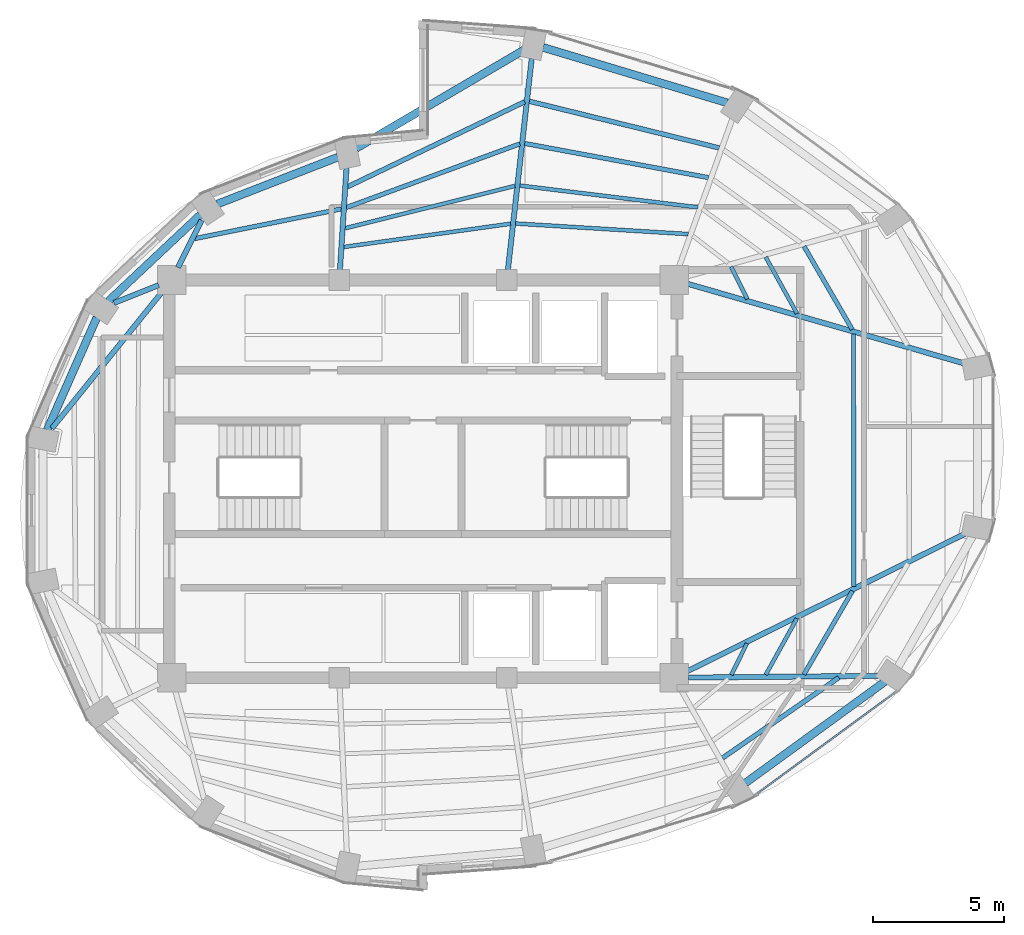
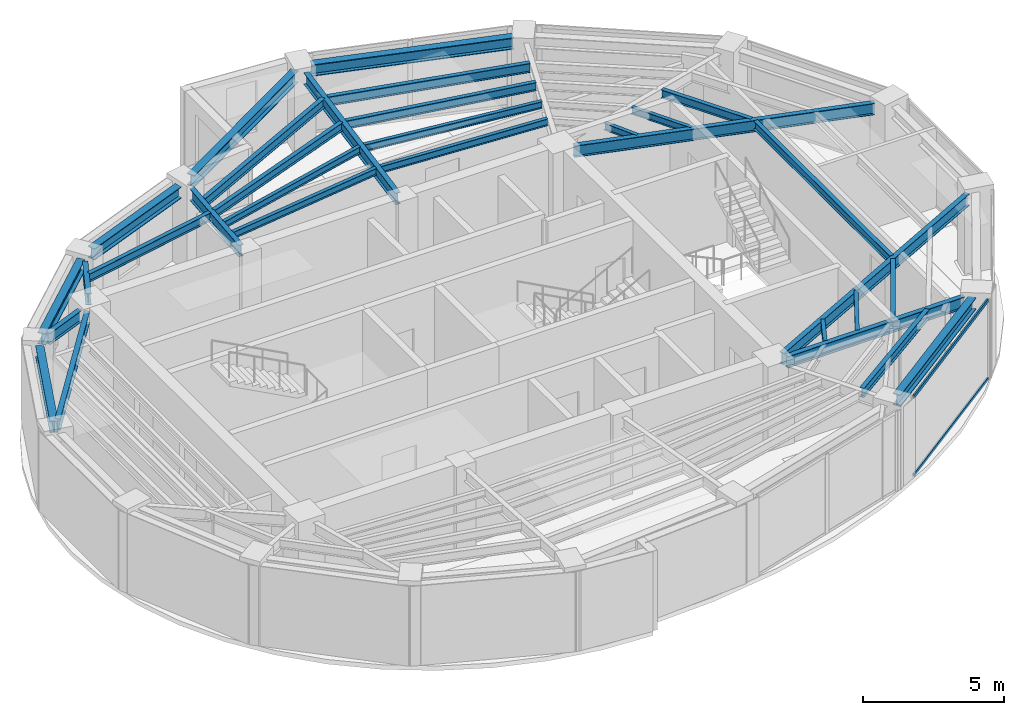
# One storey, part 3 of 12: 31 beams, 2 members, 1 element without a shape of its own.
"""IFC4 building model written with IfcOpenShell, lengths in metres."""

from ifc_helpers import new_model, si_unit, direction, frame, origin, origin_2d, place, context, subcontext, project, spatial, hollow_rectangle, i_section, extrude, material, layer, layer_set, material_profile, profile_set, type_object, element, aggregate, save


model = new_model("IFC4")

# Units and contexts
model_context = context("Model", 3, precision=1e-05, world=origin(), true_north=direction((0.0, 1.0)))
body_context = subcontext(model_context, "Body", "Model", "MODEL_VIEW")
ifc_project = project(units=[si_unit("LENGTHUNIT", "METRE"), si_unit("AREAUNIT", "SQUARE_METRE"), si_unit("VOLUMEUNIT", "CUBIC_METRE"), si_unit("PLANEANGLEUNIT", "RADIAN"), si_unit("MASSUNIT", "GRAM", prefix="KILO")], contexts=[model_context])

# Site, building, storey
site_placement = place(None, origin())
site = spatial("IfcSite", under=ifc_project, at=site_placement, CompositionType="ELEMENT")
building_placement = place(site_placement, origin())
building = spatial("IfcBuilding", under=site, at=building_placement, Name="Lazwardi Medical Tower", CompositionType="ELEMENT")
storey_placement = place(building_placement, frame((0.0, 0.0, 291.50390625)))
storey = spatial("IfcBuildingStorey", under=building, at=storey_placement, Name="L76", CompositionType="ELEMENT", Elevation=291.50390625)

# Beams
ifc_material_1 = material(Name="Steel S355", Category="steel")
ifc_material_profile_1 = material_profile(ifc_material_1, i_section(OverallWidth=0.300048828125, OverallDepth=0.5, WebThickness=0.014404296875, FlangeThickness=0.028076171875, at=origin_2d()), Name="HEB 500")
ifc_profile_set_1 = profile_set([ifc_material_profile_1], Name="Steel S355")
beam_type_1 = type_object("IfcBeamType", Name="BM-RB-Z4", PredefinedType="BEAM", material=ifc_profile_set_1)
beam_1_placement = place(storey_placement, frame((48.31591796875, 16.375244140625, 3.197998046875), z_axis=(0.808889916254, 0.587960120571, 0.0), x_axis=(-0.587960120571, 0.808889916254, 0.0)))
element("IfcBeam", 1, at=beam_1_placement, inside=storey, type_object=beam_type_1, Name="Ring beam RB-05 B02 L76", PredefinedType="BEAM", context=body_context, shape_type="SweptSolid", body=[
    extrude(i_section(OverallWidth=0.300048828125, OverallDepth=0.5, WebThickness=0.014404296875, FlangeThickness=0.028076171875, at=origin_2d()), origin(), (0.0, 0.0, 1.0), 6.587158203125),
])
beam_2_placement = place(storey_placement, frame((47.626953125, 42.366455078125, 3.197998046875), z_axis=(-0.957544311906, 0.288286126506, 0.0), x_axis=(-0.288286126506, -0.957544311906, 0.0)))
element("IfcBeam", 2, at=beam_2_placement, inside=storey, type_object=beam_type_1, Name="Ring beam RB-05 B07 L76", PredefinedType="BEAM", context=body_context, shape_type="SweptSolid", body=[
    extrude(i_section(OverallWidth=0.300048828125, OverallDepth=0.5, WebThickness=0.014404296875, FlangeThickness=0.028076171875, at=origin_2d()), origin(), (0.0, 0.0, 1.0), 7.3515625),
])
beam_3_placement = place(storey_placement, frame((39.877685546875, 44.40087890625, 3.197998046875), z_axis=(-0.862560933033, -0.505953196259, 0.0), x_axis=(0.505953196259, -0.862560933033, 0.0)))
element("IfcBeam", 3, at=beam_3_placement, inside=storey, type_object=beam_type_1, Name="Ring beam RB-05 B08 L76", PredefinedType="BEAM", context=body_context, shape_type="SweptSolid", body=[
    extrude(i_section(OverallWidth=0.300048828125, OverallDepth=0.5, WebThickness=0.014404296875, FlangeThickness=0.028076171875, at=origin_2d()), origin(), (0.0, 0.0, 1.0), 7.452880859375),
])
beam_4_placement = place(storey_placement, frame((32.749267578125, 40.29150390625, 3.197998046875), z_axis=(-0.931959260109, -0.362563011761, 0.0), x_axis=(0.362563011761, -0.931959260109, 0.0)))
element("IfcBeam", 4, at=beam_4_placement, inside=storey, type_object=beam_type_1, Name="Ring beam RB-05 B09 L76", PredefinedType="BEAM", context=body_context, shape_type="SweptSolid", body=[
    extrude(i_section(OverallWidth=0.300048828125, OverallDepth=0.5, WebThickness=0.014404296875, FlangeThickness=0.028076171875, at=origin_2d()), origin(), (0.0, 0.0, 1.0), 4.944580078125),
])
beam_5_placement = place(storey_placement, frame((27.493408203125, 38.09033203125, 3.197998046875), z_axis=(-0.728935349177, -0.684582541934, 0.0), x_axis=(0.684582541934, -0.728935349177, 0.0)))
element("IfcBeam", 5, at=beam_5_placement, inside=storey, type_object=beam_type_1, Name="Ring beam RB-05 B10 L76", PredefinedType="BEAM", context=body_context, shape_type="SweptSolid", body=[
    extrude(i_section(OverallWidth=0.300048828125, OverallDepth=0.5, WebThickness=0.014404296875, FlangeThickness=0.028076171875, at=origin_2d()), origin(), (0.0, 0.0, 1.0), 4.822021484375),
])
beam_6_placement = place(storey_placement, frame((23.536865234375, 34.16552734375, 3.197998046875), z_axis=(-0.403522451548, -0.914969743268, 0.0), x_axis=(0.914969743268, -0.403522451548, 0.0)))
element("IfcBeam", 6, at=beam_6_placement, inside=storey, type_object=beam_type_1, Name="Ring beam RB-05 B11 L76", PredefinedType="BEAM", context=body_context, shape_type="SweptSolid", body=[
    extrude(i_section(OverallWidth=0.300048828125, OverallDepth=0.5, WebThickness=0.014404296875, FlangeThickness=0.028076171875, at=origin_2d()), origin(), (0.0, 0.0, 1.0), 4.6962890625),
])
ifc_material_profile_2 = material_profile(ifc_material_1, i_section(OverallWidth=0.199951171875, OverallDepth=0.5, WebThickness=0.01025390625, FlangeThickness=0.01611328125, at=origin_2d()), Name="IPE 500")
ifc_profile_set_2 = profile_set([ifc_material_profile_2], Name="Steel S355")
beam_type_2 = type_object("IfcBeamType", Name="BM-RG-W3", PredefinedType="BEAM", material=ifc_profile_set_2)
beam_7_placement = place(storey_placement, frame((53.4248046875, 20.472412109375, 3.197998046875), z_axis=(-0.999957282107, -0.009243049327, 0.0), x_axis=(0.009243049327, -0.999957282107, 0.0)))
element("IfcBeam", 7, at=beam_7_placement, inside=storey, type_object=beam_type_2, Name="Radial girder RG-04 R03 L76", PredefinedType="BEAM", context=body_context, shape_type="SweptSolid", body=[
    extrude(i_section(OverallWidth=0.199951171875, OverallDepth=0.5, WebThickness=0.01025390625, FlangeThickness=0.01611328125, at=origin_2d()), origin(), (0.0, 0.0, 1.0), 7.2900390625),
])
beam_8_placement = place(storey_placement, frame((56.70556640625, 25.899658203125, 3.197998046875), z_axis=(-0.896137723356, -0.443776048, 0.0), x_axis=(0.443776048, -0.896137723356, 0.0)))
element("IfcBeam", 8, at=beam_8_placement, inside=storey, type_object=beam_type_2, Name="Radial girder RG-04 R04 L76", PredefinedType="BEAM", context=body_context, shape_type="SweptSolid", body=[
    extrude(i_section(OverallWidth=0.199951171875, OverallDepth=0.5, WebThickness=0.01025390625, FlangeThickness=0.01611328125, at=origin_2d()), origin(), (0.0, 0.0, 1.0), 11.85791015625),
])
beam_9_placement = place(storey_placement, frame((56.6708984375, 32.410888671875, 3.197998046875), z_axis=(-0.960926292206, 0.276804373065, 0.0), x_axis=(-0.276804373065, -0.960926292206, 0.0)))
element("IfcBeam", 9, at=beam_9_placement, inside=storey, type_object=beam_type_2, Name="Radial girder RG-04 R05 L76", PredefinedType="BEAM", context=body_context, shape_type="SweptSolid", body=[
    extrude(i_section(OverallWidth=0.199951171875, OverallDepth=0.5, WebThickness=0.01025390625, FlangeThickness=0.01611328125, at=origin_2d()), origin(), (0.0, 0.0, 1.0), 10.986083984375),
])
beam_10_placement = place(storey_placement, frame((40.154052734375, 44.066650390625, 3.197998046875), z_axis=(-0.11196962105, -0.993711630183, 0.0), x_axis=(0.993711630183, -0.11196962105, 0.0)))
element("IfcBeam", 10, at=beam_10_placement, inside=storey, type_object=beam_type_2, Name="Radial girder RG-04 R08 L76", PredefinedType="BEAM", context=body_context, shape_type="SweptSolid", body=[
    extrude(i_section(OverallWidth=0.199951171875, OverallDepth=0.5, WebThickness=0.01025390625, FlangeThickness=0.01611328125, at=origin_2d()), origin(), (0.0, 0.0, 1.0), 8.13525390625),
])
beam_11_placement = place(storey_placement, frame((33.078125, 39.89892578125, 3.197998046875), z_axis=(-0.064536216654, -0.99791536552, 0.0), x_axis=(0.99791536552, -0.064536216654, 0.0)))
element("IfcBeam", 11, at=beam_11_placement, inside=storey, type_object=beam_type_2, Name="Radial girder RG-04 R09 L76", PredefinedType="BEAM", context=body_context, shape_type="SweptSolid", body=[
    extrude(i_section(OverallWidth=0.199951171875, OverallDepth=0.5, WebThickness=0.01025390625, FlangeThickness=0.01611328125, at=origin_2d()), origin(), (0.0, 0.0, 1.0), 3.9228515625),
])
beam_12_placement = place(storey_placement, frame((27.53857421875, 37.87890625, 3.197998046875), z_axis=(-0.446922417137, -0.894572720946, 0.0), x_axis=(0.894572720946, -0.446922417137, 0.0)))
element("IfcBeam", 12, at=beam_12_placement, inside=storey, type_object=beam_type_2, Name="Radial girder RG-04 R10 L76", PredefinedType="BEAM", context=body_context, shape_type="SweptSolid", body=[
    extrude(i_section(OverallWidth=0.199951171875, OverallDepth=0.5, WebThickness=0.01025390625, FlangeThickness=0.01611328125, at=origin_2d()), origin(), (0.0, 0.0, 1.0), 2.012451171875),
])
beam_13_placement = place(storey_placement, frame((24.191162109375, 34.72021484375, 3.197998046875), z_axis=(0.929014807026, 0.370042549347, 0.0), x_axis=(-0.370042549347, 0.929014807026, 0.0)))
element("IfcBeam", 13, at=beam_13_placement, inside=storey, type_object=beam_type_2, Name="Radial girder RG-04 R11 L76", PredefinedType="BEAM", context=body_context, shape_type="SweptSolid", body=[
    extrude(i_section(OverallWidth=0.199951171875, OverallDepth=0.5, WebThickness=0.01025390625, FlangeThickness=0.01611328125, at=origin_2d()), origin(), (0.0, 0.0, 1.0), 1.8427734375),
])
beam_14_placement = place(storey_placement, frame((21.820556640625, 29.927978515625, 3.197998046875), z_axis=(0.62820165026, 0.778050568158, 0.0), x_axis=(-0.778050568158, 0.62820165026, 0.0)))
element("IfcBeam", 14, at=beam_14_placement, inside=storey, type_object=beam_type_2, Name="Radial girder RG-04 R12 L76", PredefinedType="BEAM", context=body_context, shape_type="SweptSolid", body=[
    extrude(i_section(OverallWidth=0.199951171875, OverallDepth=0.5, WebThickness=0.01025390625, FlangeThickness=0.01611328125, at=origin_2d()), origin(), (0.0, 0.0, 1.0), 6.7548828125),
])
ifc_material_profile_3 = material_profile(ifc_material_1, i_section(OverallWidth=0.179931640625, OverallDepth=0.39990234375, WebThickness=0.008544921875, FlangeThickness=0.013427734375, at=origin_2d()), Name="IPE 400")
ifc_profile_set_3 = profile_set([ifc_material_profile_3], Name="Steel S355")
beam_type_3 = type_object("IfcBeamType", Name="BM-SJ-01", PredefinedType="JOIST", material=ifc_profile_set_3)
beam_15_placement = place(storey_placement, frame((47.440673828125, 17.330322265625, 3.248046875), z_axis=(0.822596712765, 0.568625226443, 0.0), x_axis=(-0.568625226443, 0.822596712765, 0.0)))
element("IfcBeam", 15, at=beam_15_placement, inside=storey, type_object=beam_type_3, Name="Secondary joist SJ-01 R1 B02 L76", PredefinedType="JOIST", context=body_context, shape_type="SweptSolid", body=[
    extrude(i_section(OverallWidth=0.179931640625, OverallDepth=0.39990234375, WebThickness=0.008544921875, FlangeThickness=0.013427734375, at=origin_2d()), origin(), (0.0, 0.0, 1.0), 5.4072265625),
])
beam_16_placement = place(storey_placement, frame((47.319091796875, 40.64404296875, 3.248046875), z_axis=(-0.971096035988, 0.23868910509, 0.0), x_axis=(-0.23868910509, -0.971096035988, 0.0)))
element("IfcBeam", 16, at=beam_16_placement, inside=storey, type_object=beam_type_3, Name="Secondary joist SJ-01 R1 B07 L76", PredefinedType="JOIST", context=body_context, shape_type="SweptSolid", body=[
    extrude(i_section(OverallWidth=0.179931640625, OverallDepth=0.39990234375, WebThickness=0.008544921875, FlangeThickness=0.013427734375, at=origin_2d()), origin(), (0.0, 0.0, 1.0), 7.470703125),
])
beam_17_placement = place(storey_placement, frame((39.88623046875, 42.40869140625, 3.248046875), z_axis=(-0.901499730142, -0.432779662823, 0.0), x_axis=(0.432779662823, -0.901499730142, 0.0)))
element("IfcBeam", 17, at=beam_17_placement, inside=storey, type_object=beam_type_3, Name="Secondary joist SJ-01 R1 B08 L76", PredefinedType="JOIST", context=body_context, shape_type="SweptSolid", body=[
    extrude(i_section(OverallWidth=0.179931640625, OverallDepth=0.39990234375, WebThickness=0.008544921875, FlangeThickness=0.013427734375, at=origin_2d()), origin(), (0.0, 0.0, 1.0), 7.512939453125),
])
ifc_material_profile_4 = material_profile(ifc_material_1, i_section(OverallWidth=0.169921875, OverallDepth=0.360107421875, WebThickness=0.008056640625, FlangeThickness=0.0126953125, at=origin_2d()), Name="IPE 360")
ifc_profile_set_4 = profile_set([ifc_material_profile_4], Name="Steel S355")
beam_type_4 = type_object("IfcBeamType", Name="BM-SJ-02", PredefinedType="JOIST", material=ifc_profile_set_4)
beam_18_placement = place(storey_placement, frame((50.556640625, 20.527587890625, 3.26806640625), z_axis=(0.502428077017, 0.864619007092, 0.0), x_axis=(-0.864619007092, 0.502428077017, 0.0)))
element("IfcBeam", 18, at=beam_18_placement, inside=storey, type_object=beam_type_4, Name="Secondary joist SJ-02 R2 B03 L76", PredefinedType="JOIST", context=body_context, shape_type="SweptSolid", body=[
    extrude(i_section(OverallWidth=0.169921875, OverallDepth=0.360107421875, WebThickness=0.008056640625, FlangeThickness=0.0126953125, at=origin_2d()), origin(), (0.0, 0.0, 1.0), 3.683837890625),
])
beam_19_placement = place(storey_placement, frame((52.455078125, 23.889892578125, 3.26806640625), z_axis=(-0.000708932372, 0.999999748707, 0.0), x_axis=(-0.999999748707, -0.000708932372, 0.0)))
element("IfcBeam", 19, at=beam_19_placement, inside=storey, type_object=beam_type_4, Name="Secondary joist SJ-02 R2 B04 L76", PredefinedType="JOIST", context=body_context, shape_type="SweptSolid", body=[
    extrude(i_section(OverallWidth=0.169921875, OverallDepth=0.360107421875, WebThickness=0.008056640625, FlangeThickness=0.0126953125, at=origin_2d()), origin(), (0.0, 0.0, 1.0), 9.642578125),
])
beam_20_placement = place(storey_placement, frame((52.400390625, 33.70947265625, 3.26806640625), z_axis=(-0.501626451559, 0.865084332939, 0.0), x_axis=(-0.865084332939, -0.501626451559, 0.0)))
element("IfcBeam", 20, at=beam_20_placement, inside=storey, type_object=beam_type_4, Name="Secondary joist SJ-02 R2 B05 L76", PredefinedType="JOIST", context=body_context, shape_type="SweptSolid", body=[
    extrude(i_section(OverallWidth=0.169921875, OverallDepth=0.360107421875, WebThickness=0.008056640625, FlangeThickness=0.0126953125, at=origin_2d()), origin(), (0.0, 0.0, 1.0), 3.668212890625),
])
beam_21_placement = place(storey_placement, frame((46.910400390625, 39.50927734375, 3.26806640625), z_axis=(-0.98315560802, 0.182770485635, 0.0), x_axis=(-0.182770485635, -0.98315560802, 0.0)))
element("IfcBeam", 21, at=beam_21_placement, inside=storey, type_object=beam_type_4, Name="Secondary joist SJ-02 R2 B07 L76", PredefinedType="JOIST", context=body_context, shape_type="SweptSolid", body=[
    extrude(i_section(OverallWidth=0.169921875, OverallDepth=0.360107421875, WebThickness=0.008056640625, FlangeThickness=0.0126953125, at=origin_2d()), origin(), (0.0, 0.0, 1.0), 7.147705078125),
])
beam_22_placement = place(storey_placement, frame((39.700439453125, 40.80029296875, 3.26806640625), z_axis=(-0.938784720842, -0.34450435108, 0.0), x_axis=(0.34450435108, -0.938784720842, 0.0)))
element("IfcBeam", 22, at=beam_22_placement, inside=storey, type_object=beam_type_4, Name="Secondary joist SJ-02 R2 B08 L76", PredefinedType="JOIST", context=body_context, shape_type="SweptSolid", body=[
    extrude(i_section(OverallWidth=0.169921875, OverallDepth=0.360107421875, WebThickness=0.008056640625, FlangeThickness=0.0126953125, at=origin_2d()), origin(), (0.0, 0.0, 1.0), 7.06689453125),
])
beam_23_placement = place(storey_placement, frame((32.8837890625, 38.314208984375, 3.26806640625), z_axis=(-0.980097246244, -0.198517978793, 0.0), x_axis=(0.198517978793, -0.980097246244, 0.0)))
element("IfcBeam", 23, at=beam_23_placement, inside=storey, type_object=beam_type_4, Name="Secondary joist SJ-02 R2 B09 L76", PredefinedType="JOIST", context=body_context, shape_type="SweptSolid", body=[
    extrude(i_section(OverallWidth=0.169921875, OverallDepth=0.360107421875, WebThickness=0.008056640625, FlangeThickness=0.0126953125, at=origin_2d()), origin(), (0.0, 0.0, 1.0), 5.72607421875),
])
ifc_material_profile_5 = material_profile(ifc_material_1, i_section(OverallWidth=0.14990234375, OverallDepth=0.300048828125, WebThickness=0.007080078125, FlangeThickness=0.0107421875, at=origin_2d()), Name="IPE 300")
ifc_profile_set_5 = profile_set([ifc_material_profile_5], Name="Steel S355")
beam_type_5 = type_object("IfcBeamType", Name="BM-SJ-03", PredefinedType="JOIST", material=ifc_profile_set_5)
beam_24_placement = place(storey_placement, frame((49.096923828125, 20.51513671875, 3.298095703125), z_axis=(0.484356732643, 0.874870593598, 0.0), x_axis=(-0.874870593598, 0.484356732643, 0.0)))
element("IfcBeam", 24, at=beam_24_placement, inside=storey, type_object=beam_type_5, Name="Secondary joist SJ-03 R3 B03 L76", PredefinedType="JOIST", context=body_context, shape_type="SweptSolid", body=[
    extrude(i_section(OverallWidth=0.14990234375, OverallDepth=0.300048828125, WebThickness=0.007080078125, FlangeThickness=0.0107421875, at=origin_2d()), origin(), (0.0, 0.0, 1.0), 2.45068359375),
])
beam_25_placement = place(storey_placement, frame((50.290771484375, 34.318603515625, 3.298095703125), z_axis=(-0.485634526525, 0.874161945321, 0.0), x_axis=(-0.874161945321, -0.485634526525, 0.0)))
element("IfcBeam", 25, at=beam_25_placement, inside=storey, type_object=beam_type_5, Name="Secondary joist SJ-03 R3 B05 L76", PredefinedType="JOIST", context=body_context, shape_type="SweptSolid", body=[
    extrude(i_section(OverallWidth=0.14990234375, OverallDepth=0.300048828125, WebThickness=0.007080078125, FlangeThickness=0.0107421875, at=origin_2d()), origin(), (0.0, 0.0, 1.0), 2.46630859375),
])
beam_26_placement = place(storey_placement, frame((46.502197265625, 38.373779296875, 3.298095703125), z_axis=(-0.992619429406, 0.121271053287, 0.0), x_axis=(-0.121271053287, -0.992619429406, 0.0)))
element("IfcBeam", 26, at=beam_26_placement, inside=storey, type_object=beam_type_5, Name="Secondary joist SJ-03 R3 B07 L76", PredefinedType="JOIST", context=body_context, shape_type="SweptSolid", body=[
    extrude(i_section(OverallWidth=0.14990234375, OverallDepth=0.300048828125, WebThickness=0.007080078125, FlangeThickness=0.0107421875, at=origin_2d()), origin(), (0.0, 0.0, 1.0), 6.850830078125),
])
beam_27_placement = place(storey_placement, frame((39.515380859375, 39.193359375, 3.298095703125), z_axis=(-0.970279606817, -0.241986538045, 0.0), x_axis=(0.241986538045, -0.970279606817, 0.0)))
element("IfcBeam", 27, at=beam_27_placement, inside=storey, type_object=beam_type_5, Name="Secondary joist SJ-03 R3 B08 L76", PredefinedType="JOIST", context=body_context, shape_type="SweptSolid", body=[
    extrude(i_section(OverallWidth=0.14990234375, OverallDepth=0.300048828125, WebThickness=0.007080078125, FlangeThickness=0.0107421875, at=origin_2d()), origin(), (0.0, 0.0, 1.0), 6.696044921875),
])
beam_28_placement = place(storey_placement, frame((47.78076171875, 20.5048828125, 3.298095703125), z_axis=(0.442264453687, 0.896884693261, 0.0), x_axis=(-0.896884693261, 0.442264453687, 0.0)))
element("IfcBeam", 28, at=beam_28_placement, inside=storey, type_object=beam_type_5, Name="Secondary joist SJ-03 R4 B03 L76", PredefinedType="JOIST", context=body_context, shape_type="SweptSolid", body=[
    extrude(i_section(OverallWidth=0.14990234375, OverallDepth=0.300048828125, WebThickness=0.007080078125, FlangeThickness=0.0107421875, at=origin_2d()), origin(), (0.0, 0.0, 1.0), 1.343505859375),
])
beam_29_placement = place(storey_placement, frame((48.393798828125, 34.867919921875, 3.298095703125), z_axis=(-0.449607078784, 0.893226440891, 0.0), x_axis=(-0.893226440891, -0.449607078784, 0.0)))
element("IfcBeam", 29, at=beam_29_placement, inside=storey, type_object=beam_type_5, Name="Secondary joist SJ-03 R4 B05 L76", PredefinedType="JOIST", context=body_context, shape_type="SweptSolid", body=[
    extrude(i_section(OverallWidth=0.14990234375, OverallDepth=0.300048828125, WebThickness=0.007080078125, FlangeThickness=0.0107421875, at=origin_2d()), origin(), (0.0, 0.0, 1.0), 1.38623046875),
])
beam_30_placement = place(storey_placement, frame((46.135009765625, 37.3515625, 3.298095703125), z_axis=(-0.998131677286, 0.061099548269, 0.0), x_axis=(-0.061099548269, -0.998131677286, 0.0)))
element("IfcBeam", 30, at=beam_30_placement, inside=storey, type_object=beam_type_5, Name="Secondary joist SJ-03 R4 B07 L76", PredefinedType="JOIST", context=body_context, shape_type="SweptSolid", body=[
    extrude(i_section(OverallWidth=0.14990234375, OverallDepth=0.300048828125, WebThickness=0.007080078125, FlangeThickness=0.0107421875, at=origin_2d()), origin(), (0.0, 0.0, 1.0), 6.609130859375),
])
beam_31_placement = place(storey_placement, frame((39.349365234375, 37.748046875, 3.298095703125), z_axis=(-0.990406947737, -0.138181322454, 0.0), x_axis=(0.138181322454, -0.990406947737, 0.0)))
element("IfcBeam", 31, at=beam_31_placement, inside=storey, type_object=beam_type_5, Name="Secondary joist SJ-03 R4 B08 L76", PredefinedType="JOIST", context=body_context, shape_type="SweptSolid", body=[
    extrude(i_section(OverallWidth=0.14990234375, OverallDepth=0.300048828125, WebThickness=0.007080078125, FlangeThickness=0.0107421875, at=origin_2d()), origin(), (0.0, 0.0, 1.0), 6.4365234375),
])

# Curtain wall, members
ifc_material_2 = material(Name="Anodised bronze aluminium and solar control glazing", Category="aluminium")
ifc_layer = layer(ifc_material_2, 0.18994140625)
ifc_layer_set = layer_set([ifc_layer], Name="Anodised bronze aluminium and solar control glazing")
curtain_wall_type = type_object("IfcCurtainWallType", Name="CW-SYS-04", PredefinedType="NOTDEFINED", material=ifc_layer_set)
curtain_wall_placement = place(storey_placement, origin())
curtain_wall = element("IfcCurtainWall", 32, at=curtain_wall_placement, inside=storey, type_object=curtain_wall_type, Name="L76 Unitised bronze curtain wall CW-04", PredefinedType="NOTDEFINED")
ifc_material_3 = material(Name="Anodised bronze aluminium", Category="aluminium")
ifc_material_profile_6 = material_profile(ifc_material_3, hollow_rectangle(XDim=0.06494140625, YDim=0.139892578125, WallThickness=0.00341796875, at=origin_2d()), Name="ALU-TRANSOM 140x65x3.5")
ifc_profile_set_6 = profile_set([ifc_material_profile_6], Name="Anodised bronze aluminium")
member_type = type_object("IfcMemberType", Name="CW-TRN-03", PredefinedType="USERDEFINED", material=ifc_profile_set_6)
member_1_placement = place(storey_placement, frame((48.781494140625, 15.984375, 0.03271484375), z_axis=(0.80648973359, 0.591248094808, 0.0), x_axis=(-0.591248094808, 0.80648973359, 0.0)))
member_1 = element("IfcMember", 33, at=member_1_placement, type_object=member_type, Name="CW-04 transom 1.1", ObjectType="TRANSOM", PredefinedType="USERDEFINED", context=body_context, shape_type="SweptSolid", body=[
    extrude(hollow_rectangle(XDim=0.06494140625, YDim=0.139892578125, WallThickness=0.00341796875, at=origin_2d()), origin(), (0.0, 0.0, 1.0), 6.502685546875),
])
member_2_placement = place(storey_placement, frame((48.781494140625, 15.984375, 3.41552734375), z_axis=(0.80648973359, 0.591248094808, 0.0), x_axis=(-0.591248094808, 0.80648973359, 0.0)))
member_2 = element("IfcMember", 34, at=member_2_placement, type_object=member_type, Name="CW-04 transom 1.2", ObjectType="TRANSOM", PredefinedType="USERDEFINED", context=body_context, shape_type="SweptSolid", body=[
    extrude(hollow_rectangle(XDim=0.06494140625, YDim=0.139892578125, WallThickness=0.00341796875, at=origin_2d()), origin(), (0.0, 0.0, 1.0), 6.502685546875),
])
aggregate(curtain_wall, [member_1, member_2])

save(model, "model.ifc")
